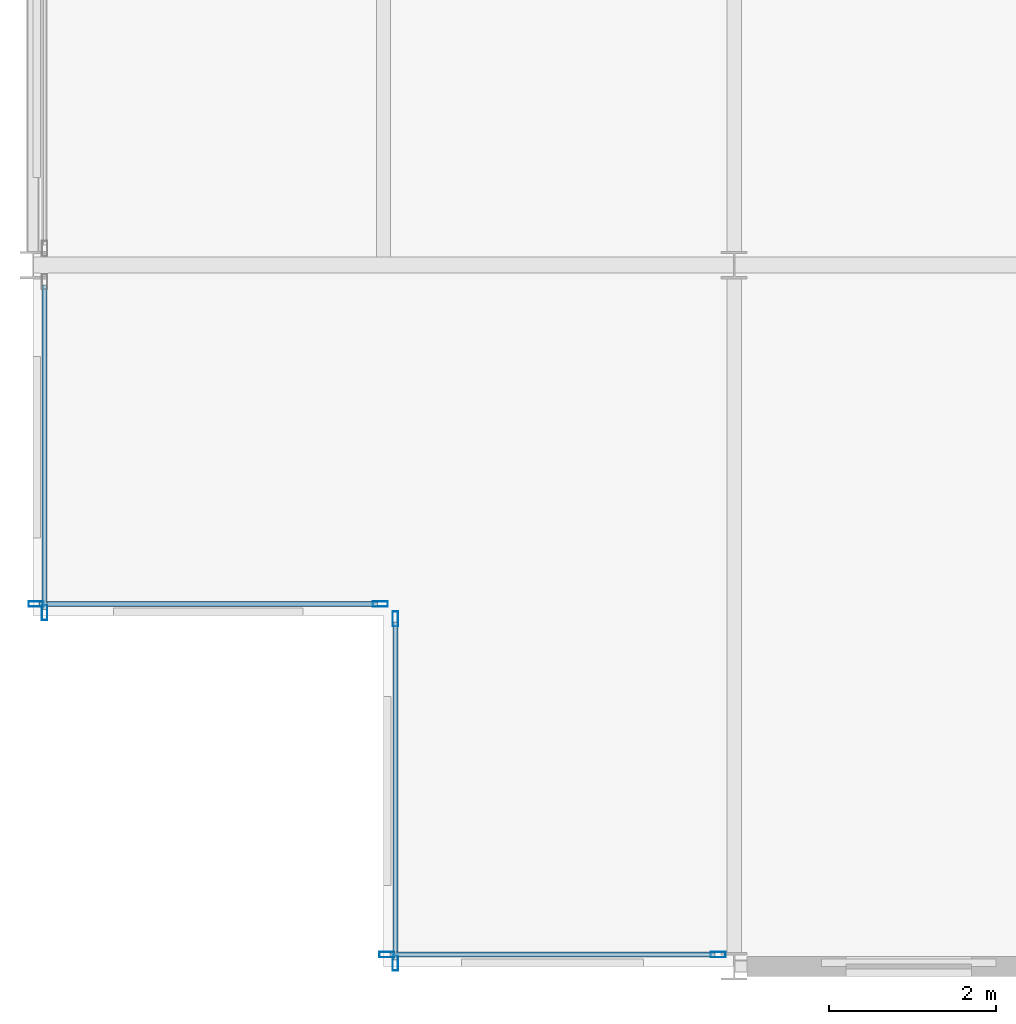
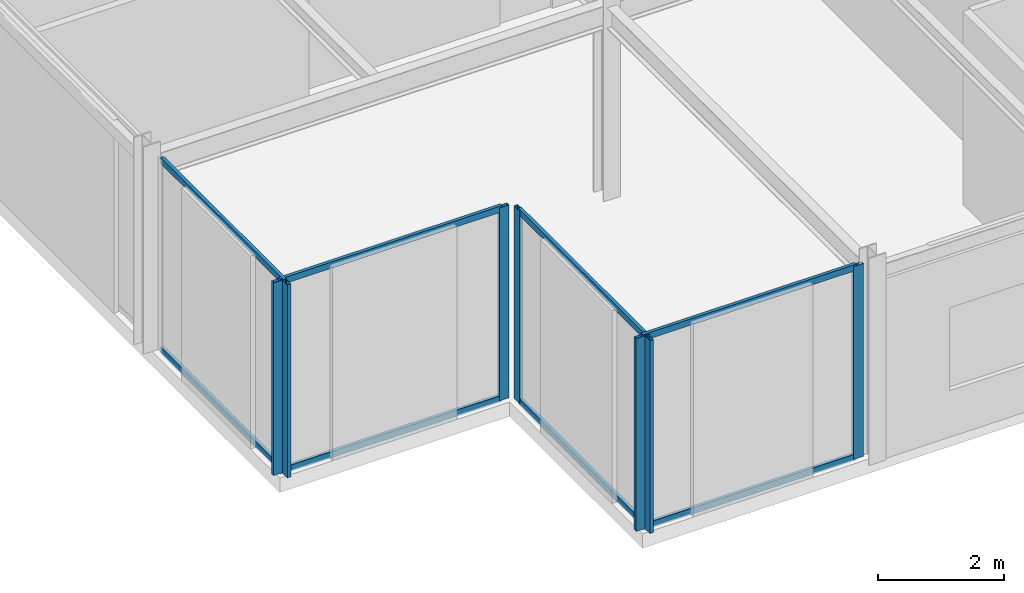
# One storey, part 3 of 26: 15 members, 4 elements without a shape of their own.
"""IFC4 building model written with IfcOpenShell, lengths in metres."""

from ifc_helpers import new_model, si_unit, direction, frame, origin, origin_2d, place, context, subcontext, project, spatial, hollow_rectangle, extrude, material, layer, layer_set, material_profile, profile_set, type_object, element, aggregate, save


model = new_model("IFC4")

# Units and contexts
model_context = context("Model", 3, precision=1e-05, world=origin(), true_north=direction((0.0, 1.0)))
body_context = subcontext(model_context, "Body", "Model", "MODEL_VIEW")
ifc_project = project(units=[si_unit("LENGTHUNIT", "METRE"), si_unit("AREAUNIT", "SQUARE_METRE"), si_unit("VOLUMEUNIT", "CUBIC_METRE"), si_unit("PLANEANGLEUNIT", "RADIAN"), si_unit("MASSUNIT", "GRAM", prefix="KILO")], contexts=[model_context])

# Site, building, storey
site_placement = place(None, origin())
site = spatial("IfcSite", under=ifc_project, at=site_placement, CompositionType="ELEMENT")
building_placement = place(site_placement, origin())
building = spatial("IfcBuilding", under=site, at=building_placement, Name="Nerrivon Quay Data Exchange", CompositionType="ELEMENT")
storey_placement = place(building_placement, frame((0.0, 0.0, 262.199951171875)))
storey = spatial("IfcBuildingStorey", under=building, at=storey_placement, Name="L62", CompositionType="ELEMENT", Elevation=262.199951171875)

# Curtain wall, members
ifc_material = material(Name="Anodised aluminium 6063-T6", Category="aluminium")
ifc_layer = layer(ifc_material, 0.195068359375)
ifc_layer_set = layer_set([ifc_layer], Name="Anodised aluminium 6063-T6")
curtain_wall_type = type_object("IfcCurtainWallType", Name="CW-SYS-06", PredefinedType="NOTDEFINED", material=ifc_layer_set)
curtain_wall_1_placement = place(storey_placement, origin())
curtain_wall_1 = element("IfcCurtainWall", 1, at=curtain_wall_1_placement, inside=storey, type_object=curtain_wall_type, Name="L62 Unitised Curtain Wall 8", PredefinedType="NOTDEFINED")
ifc_material_profile_1 = material_profile(ifc_material, hollow_rectangle(XDim=0.06494140625, YDim=0.179931640625, WallThickness=0.00341796875, at=origin_2d()), Name="ALU-MULL-180x65")
ifc_profile_set_1 = profile_set([ifc_material_profile_1], Name="Anodised aluminium 6063-T6")
member_type_1 = type_object("IfcMemberType", Name="CWM-180x65", PredefinedType="MULLION", material=ifc_profile_set_1)
member_1_placement = place(storey_placement, frame((8.20703125, 0.139892578125, 0.0), z_axis=(0.0, 0.0, 1.0), x_axis=(0.0, -1.0, 0.0)))
member_1 = element("IfcMember", 2, at=member_1_placement, type_object=member_type_1, Name="CW06 mullion 1", PredefinedType="MULLION", context=body_context, shape_type="SweptSolid", body=[
    extrude(hollow_rectangle(XDim=0.06494140625, YDim=0.179931640625, WallThickness=0.00341796875, at=origin_2d()), origin(), (0.0, 0.0, 1.0), 3.72509765625),
])
member_2_placement = place(storey_placement, frame((4.237548828125, 0.139892578125, 0.0), z_axis=(0.0, 0.0, 1.0), x_axis=(0.0, -1.0, 0.0)))
member_2 = element("IfcMember", 3, at=member_2_placement, type_object=member_type_1, Name="CW06 mullion 2", PredefinedType="MULLION", context=body_context, shape_type="SweptSolid", body=[
    extrude(hollow_rectangle(XDim=0.06494140625, YDim=0.179931640625, WallThickness=0.00341796875, at=origin_2d()), origin(), (0.0, 0.0, 1.0), 3.72509765625),
])

curtain_wall_2_placement = place(storey_placement, origin())
curtain_wall_2 = element("IfcCurtainWall", 4, at=curtain_wall_2_placement, inside=storey, type_object=curtain_wall_type, Name="L62 Unitised Curtain Wall 9", PredefinedType="NOTDEFINED")
member_3_placement = place(storey_placement, frame((4.340087890625, 0.03759765625, 0.0), z_axis=(0.0, 0.0, 1.0), x_axis=(-1.0, 0.0, 0.0)))
member_3 = element("IfcMember", 5, at=member_3_placement, type_object=member_type_1, Name="CW06 mullion 1", PredefinedType="MULLION", context=body_context, shape_type="SweptSolid", body=[
    extrude(hollow_rectangle(XDim=0.06494140625, YDim=0.179931640625, WallThickness=0.00341796875, at=origin_2d()), origin(), (0.0, 0.0, 1.0), 3.72509765625),
])
member_4_placement = place(storey_placement, frame((4.340087890625, 4.16259765625, 0.0), z_axis=(0.0, 0.0, 1.0), x_axis=(-1.0, 0.0, 0.0)))
member_4 = element("IfcMember", 6, at=member_4_placement, type_object=member_type_1, Name="CW06 mullion 2", PredefinedType="MULLION", context=body_context, shape_type="SweptSolid", body=[
    extrude(hollow_rectangle(XDim=0.06494140625, YDim=0.179931640625, WallThickness=0.00341796875, at=origin_2d()), origin(), (0.0, 0.0, 1.0), 3.72509765625),
])

curtain_wall_3_placement = place(storey_placement, origin())
curtain_wall_3 = element("IfcCurtainWall", 7, at=curtain_wall_3_placement, inside=storey, type_object=curtain_wall_type, Name="L62 Unitised Curtain Wall 10", PredefinedType="NOTDEFINED")
member_5_placement = place(storey_placement, frame((4.16259765625, 4.340087890625, 0.0), z_axis=(0.0, 0.0, 1.0), x_axis=(0.0, -1.0, 0.0)))
member_5 = element("IfcMember", 8, at=member_5_placement, type_object=member_type_1, Name="CW06 mullion 1", PredefinedType="MULLION", context=body_context, shape_type="SweptSolid", body=[
    extrude(hollow_rectangle(XDim=0.06494140625, YDim=0.179931640625, WallThickness=0.00341796875, at=origin_2d()), origin(), (0.0, 0.0, 1.0), 3.72509765625),
])
member_6_placement = place(storey_placement, frame((0.03759765625, 4.340087890625, 0.0), z_axis=(0.0, 0.0, 1.0), x_axis=(0.0, -1.0, 0.0)))
member_6 = element("IfcMember", 9, at=member_6_placement, type_object=member_type_1, Name="CW06 mullion 2", PredefinedType="MULLION", context=body_context, shape_type="SweptSolid", body=[
    extrude(hollow_rectangle(XDim=0.06494140625, YDim=0.179931640625, WallThickness=0.00341796875, at=origin_2d()), origin(), (0.0, 0.0, 1.0), 3.72509765625),
])

# Curtain wall, member
curtain_wall_4_placement = place(storey_placement, origin())
curtain_wall_4 = element("IfcCurtainWall", 10, at=curtain_wall_4_placement, inside=storey, type_object=curtain_wall_type, Name="L62 Unitised Curtain Wall 11", PredefinedType="NOTDEFINED")
member_7_placement = place(storey_placement, frame((0.139892578125, 4.237548828125, 0.0), z_axis=(0.0, 0.0, 1.0), x_axis=(-1.0, 0.0, 0.0)))
member_7 = element("IfcMember", 11, at=member_7_placement, type_object=member_type_1, Name="CW06 mullion 1", PredefinedType="MULLION", context=body_context, shape_type="SweptSolid", body=[
    extrude(hollow_rectangle(XDim=0.06494140625, YDim=0.179931640625, WallThickness=0.00341796875, at=origin_2d()), origin(), (0.0, 0.0, 1.0), 3.72509765625),
])

# Member
ifc_material_profile_2 = material_profile(ifc_material, hollow_rectangle(XDim=0.06005859375, YDim=0.1201171875, WallThickness=0.003173828125, at=origin_2d()), Name="ALU-TRAN-120x60")
ifc_profile_set_2 = profile_set([ifc_material_profile_2], Name="Anodised aluminium 6063-T6")
member_type_2 = type_object("IfcMemberType", Name="CWT-120x60", PredefinedType="USERDEFINED", material=ifc_profile_set_2)
member_8_placement = place(storey_placement, frame((8.16943359375, 0.139892578125, 0.032470703125), z_axis=(-1.0, 0.0, 0.0), x_axis=(0.0, -1.0, 0.0)))
member_8 = element("IfcMember", 12, at=member_8_placement, type_object=member_type_2, Name="CW06 transom 1.1", ObjectType="TRANSOM", PredefinedType="USERDEFINED", context=body_context, shape_type="SweptSolid", body=[
    extrude(hollow_rectangle(XDim=0.06005859375, YDim=0.1201171875, WallThickness=0.003173828125, at=origin_2d()), origin(), (0.0, 0.0, 1.0), 3.89453125),
])

member_9_placement = place(storey_placement, frame((8.16943359375, 0.139892578125, 3.692626953125), z_axis=(-1.0, 0.0, 0.0), x_axis=(0.0, -1.0, 0.0)))
member_9 = element("IfcMember", 13, at=member_9_placement, type_object=member_type_2, Name="CW06 transom 1.2", ObjectType="TRANSOM", PredefinedType="USERDEFINED", context=body_context, shape_type="SweptSolid", body=[
    extrude(hollow_rectangle(XDim=0.06005859375, YDim=0.1201171875, WallThickness=0.003173828125, at=origin_2d()), origin(), (0.0, 0.0, 1.0), 3.89453125),
])

aggregate(curtain_wall_1, [member_1, member_2, member_8, member_9])

member_10_placement = place(storey_placement, frame((4.340087890625, 0.074951171875, 0.032470703125), z_axis=(0.0, 1.0, 0.0), x_axis=(-1.0, 0.0, 0.0)))
member_10 = element("IfcMember", 14, at=member_10_placement, type_object=member_type_2, Name="CW06 transom 1.1", ObjectType="TRANSOM", PredefinedType="USERDEFINED", context=body_context, shape_type="SweptSolid", body=[
    extrude(hollow_rectangle(XDim=0.06005859375, YDim=0.1201171875, WallThickness=0.003173828125, at=origin_2d()), origin(), (0.0, 0.0, 1.0), 4.050048828125),
])

member_11_placement = place(storey_placement, frame((4.340087890625, 0.074951171875, 3.692626953125), z_axis=(0.0, 1.0, 0.0), x_axis=(-1.0, 0.0, 0.0)))
member_11 = element("IfcMember", 15, at=member_11_placement, type_object=member_type_2, Name="CW06 transom 1.2", ObjectType="TRANSOM", PredefinedType="USERDEFINED", context=body_context, shape_type="SweptSolid", body=[
    extrude(hollow_rectangle(XDim=0.06005859375, YDim=0.1201171875, WallThickness=0.003173828125, at=origin_2d()), origin(), (0.0, 0.0, 1.0), 4.050048828125),
])

aggregate(curtain_wall_2, [member_3, member_4, member_10, member_11])

member_12_placement = place(storey_placement, frame((4.125, 4.340087890625, 0.032470703125), z_axis=(-1.0, 0.0, 0.0), x_axis=(0.0, -1.0, 0.0)))
member_12 = element("IfcMember", 16, at=member_12_placement, type_object=member_type_2, Name="CW06 transom 1.1", ObjectType="TRANSOM", PredefinedType="USERDEFINED", context=body_context, shape_type="SweptSolid", body=[
    extrude(hollow_rectangle(XDim=0.06005859375, YDim=0.1201171875, WallThickness=0.003173828125, at=origin_2d()), origin(), (0.0, 0.0, 1.0), 4.050048828125),
])

member_13_placement = place(storey_placement, frame((4.125, 4.340087890625, 3.692626953125), z_axis=(-1.0, 0.0, 0.0), x_axis=(0.0, -1.0, 0.0)))
member_13 = element("IfcMember", 17, at=member_13_placement, type_object=member_type_2, Name="CW06 transom 1.2", ObjectType="TRANSOM", PredefinedType="USERDEFINED", context=body_context, shape_type="SweptSolid", body=[
    extrude(hollow_rectangle(XDim=0.06005859375, YDim=0.1201171875, WallThickness=0.003173828125, at=origin_2d()), origin(), (0.0, 0.0, 1.0), 4.050048828125),
])

aggregate(curtain_wall_3, [member_5, member_6, member_12, member_13])

member_14_placement = place(storey_placement, frame((0.139892578125, 4.27490234375, 0.032470703125), z_axis=(0.0, 1.0, 0.0), x_axis=(-1.0, 0.0, 0.0)))
member_14 = element("IfcMember", 18, at=member_14_placement, type_object=member_type_2, Name="CW06 transom 1.1", ObjectType="TRANSOM", PredefinedType="USERDEFINED", context=body_context, shape_type="SweptSolid", body=[
    extrude(hollow_rectangle(XDim=0.06005859375, YDim=0.1201171875, WallThickness=0.003173828125, at=origin_2d()), origin(), (0.0, 0.0, 1.0), 3.88671875),
])

member_15_placement = place(storey_placement, frame((0.139892578125, 4.27490234375, 3.692626953125), z_axis=(0.0, 1.0, 0.0), x_axis=(-1.0, 0.0, 0.0)))
member_15 = element("IfcMember", 19, at=member_15_placement, type_object=member_type_2, Name="CW06 transom 1.2", ObjectType="TRANSOM", PredefinedType="USERDEFINED", context=body_context, shape_type="SweptSolid", body=[
    extrude(hollow_rectangle(XDim=0.06005859375, YDim=0.1201171875, WallThickness=0.003173828125, at=origin_2d()), origin(), (0.0, 0.0, 1.0), 3.88671875),
])

aggregate(curtain_wall_4, [member_7, member_14, member_15])

save(model, "model.ifc")
